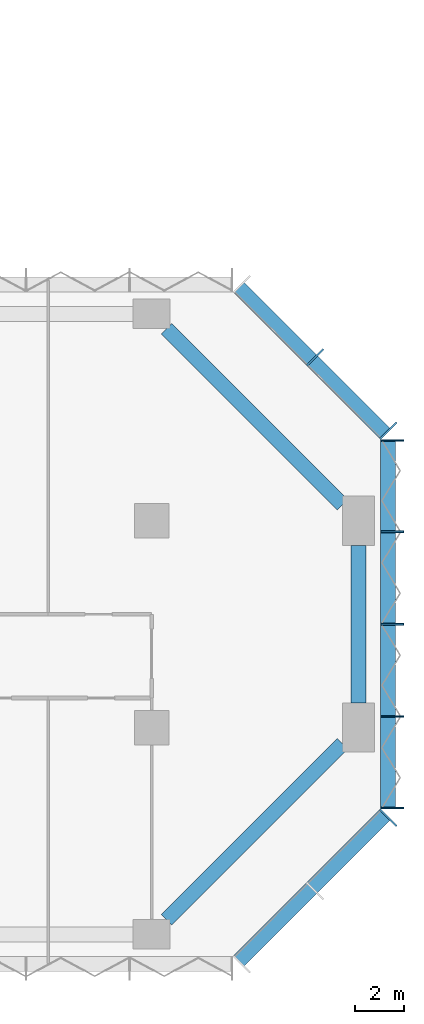
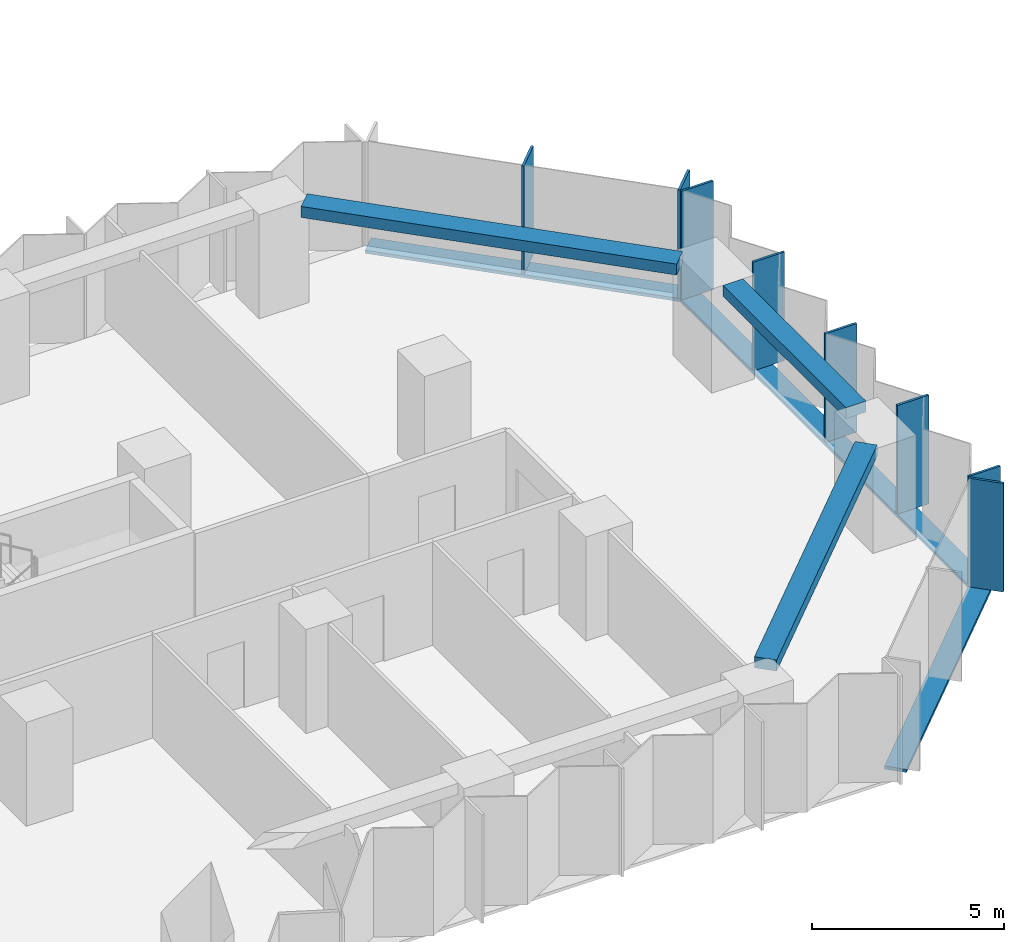
# One storey, part 4 of 15: 11 members, 3 beams, 3 elements without a shape of their own.
"""IFC4 building model written with IfcOpenShell, lengths in metres."""

from ifc_helpers import new_model, si_unit, direction, frame, origin, origin_2d, place, context, subcontext, project, spatial, rectangle, extrude, material, material_profile, profile_set, type_object, element, aggregate, save


model = new_model("IFC4")

# Units and contexts
model_context = context("Model", 3, precision=1e-05, world=origin(), true_north=direction((0.0, 1.0)))
body_context = subcontext(model_context, "Body", "Model", "MODEL_VIEW")
ifc_project = project(units=[si_unit("LENGTHUNIT", "METRE"), si_unit("AREAUNIT", "SQUARE_METRE"), si_unit("VOLUMEUNIT", "CUBIC_METRE"), si_unit("PLANEANGLEUNIT", "RADIAN"), si_unit("MASSUNIT", "GRAM", prefix="KILO")], contexts=[model_context])

# Site, building, storey
site_placement = place(None, origin())
site = spatial("IfcSite", under=ifc_project, at=site_placement, CompositionType="ELEMENT")
building_placement = place(site_placement, origin())
building = spatial("IfcBuilding", under=site, at=building_placement, Name="Brevane Broadcast Tower", CompositionType="ELEMENT")
storey_placement = place(building_placement, frame((0.0, 0.0, 83.300048828125)))
storey = spatial("IfcBuildingStorey", under=building, at=storey_placement, Name="L19", CompositionType="ELEMENT", Elevation=83.300048828125)

# Curtain wall, member
ifc_material_1 = material(Name="Aluminium 6063-T6 bronze anodised", Category="aluminium")
curtain_wall_type = type_object("IfcCurtainWallType", Name="CW-1 curtain wall", PredefinedType="NOTDEFINED", material=ifc_material_1)
curtain_wall_1_placement = place(storey_placement, origin())
curtain_wall_1 = element("IfcCurtainWall", 1, at=curtain_wall_1_placement, inside=storey, type_object=curtain_wall_type, Name="CW-1 typical tilted unit L19 south-east chamfer", PredefinedType="NOTDEFINED")
ifc_material_profile_1 = material_profile(ifc_material_1, rectangle(XDim=0.949951171875, YDim=0.070068359375, at=origin_2d()), Name="RECT 70x950")
ifc_profile_set_1 = profile_set([ifc_material_profile_1], Name="Aluminium 6063-T6 bronze anodised")
member_type_1 = type_object("IfcMemberType", Name="CW-1 mullion 70x950", PredefinedType="MULLION", material=ifc_profile_set_1)
member_1_placement = place(storey_placement, frame((68.4111328125, 4.7392578125, -0.150146484375), z_axis=(0.0, 0.0, 1.0), x_axis=(-0.707106781187, 0.707106781187, 0.0)))
member_1 = element("IfcMember", 2, at=member_1_placement, type_object=member_type_1, Name="CW-1 mullion", PredefinedType="MULLION", context=body_context, shape_type="SweptSolid", body=[
    extrude(rectangle(XDim=0.949951171875, YDim=0.070068359375, at=origin_2d()), origin(), (0.0, 0.0, 1.0), 3.4501953125),
])

# Curtain wall, members
curtain_wall_2_placement = place(storey_placement, origin())
curtain_wall_2 = element("IfcCurtainWall", 3, at=curtain_wall_2_placement, inside=storey, type_object=curtain_wall_type, Name="CW-1 typical tilted unit L19 east end", PredefinedType="NOTDEFINED")
member_2_placement = place(storey_placement, frame((68.574951171875, 5.135009765625, -0.150146484375), z_axis=(0.0, 0.0, 1.0), x_axis=(-1.0, 0.0, 0.0)))
member_2 = element("IfcMember", 4, at=member_2_placement, type_object=member_type_1, Name="CW-1 mullion", PredefinedType="MULLION", context=body_context, shape_type="SweptSolid", body=[
    extrude(rectangle(XDim=0.949951171875, YDim=0.070068359375, at=origin_2d()), origin(), (0.0, 0.0, 1.0), 3.4501953125),
])
member_3_placement = place(storey_placement, frame((68.574951171875, 8.85009765625, -0.150146484375), z_axis=(0.0, 0.0, 1.0), x_axis=(-1.0, 0.0, 0.0)))
member_3 = element("IfcMember", 5, at=member_3_placement, type_object=member_type_1, Name="CW-1 mullion", PredefinedType="MULLION", context=body_context, shape_type="SweptSolid", body=[
    extrude(rectangle(XDim=0.949951171875, YDim=0.070068359375, at=origin_2d()), origin(), (0.0, 0.0, 1.0), 3.4501953125),
])
member_4_placement = place(storey_placement, frame((68.574951171875, 12.60009765625, -0.150146484375), z_axis=(0.0, 0.0, 1.0), x_axis=(-1.0, 0.0, 0.0)))
member_4 = element("IfcMember", 6, at=member_4_placement, type_object=member_type_1, Name="CW-1 mullion", PredefinedType="MULLION", context=body_context, shape_type="SweptSolid", body=[
    extrude(rectangle(XDim=0.949951171875, YDim=0.070068359375, at=origin_2d()), origin(), (0.0, 0.0, 1.0), 3.4501953125),
])
member_5_placement = place(storey_placement, frame((68.574951171875, 16.35009765625, -0.150146484375), z_axis=(0.0, 0.0, 1.0), x_axis=(-1.0, 0.0, 0.0)))
member_5 = element("IfcMember", 7, at=member_5_placement, type_object=member_type_1, Name="CW-1 mullion", PredefinedType="MULLION", context=body_context, shape_type="SweptSolid", body=[
    extrude(rectangle(XDim=0.949951171875, YDim=0.070068359375, at=origin_2d()), origin(), (0.0, 0.0, 1.0), 3.4501953125),
])
member_6_placement = place(storey_placement, frame((68.574951171875, 20.06494140625, -0.150146484375), z_axis=(0.0, 0.0, 1.0), x_axis=(-1.0, 0.0, 0.0)))
member_6 = element("IfcMember", 8, at=member_6_placement, type_object=member_type_1, Name="CW-1 mullion", PredefinedType="MULLION", context=body_context, shape_type="SweptSolid", body=[
    extrude(rectangle(XDim=0.949951171875, YDim=0.070068359375, at=origin_2d()), origin(), (0.0, 0.0, 1.0), 3.4501953125),
])

curtain_wall_3_placement = place(storey_placement, origin())
curtain_wall_3 = element("IfcCurtainWall", 9, at=curtain_wall_3_placement, inside=storey, type_object=curtain_wall_type, Name="CW-1 typical tilted unit L19 north-east chamfer", PredefinedType="NOTDEFINED")
member_7_placement = place(storey_placement, frame((68.4111328125, 20.460693359375, -0.150146484375), z_axis=(0.0, 0.0, 1.0), x_axis=(-0.707106781187, -0.707106781187, 0.0)))
member_7 = element("IfcMember", 10, at=member_7_placement, type_object=member_type_1, Name="CW-1 mullion", PredefinedType="MULLION", context=body_context, shape_type="SweptSolid", body=[
    extrude(rectangle(XDim=0.949951171875, YDim=0.070068359375, at=origin_2d()), origin(), (0.0, 0.0, 1.0), 3.4501953125),
])
member_8_placement = place(storey_placement, frame((65.435791015625, 23.435791015625, -0.150146484375), z_axis=(0.0, 0.0, 1.0), x_axis=(-0.707106781187, -0.707106781187, 0.0)))
member_8 = element("IfcMember", 11, at=member_8_placement, type_object=member_type_1, Name="CW-1 mullion", PredefinedType="MULLION", context=body_context, shape_type="SweptSolid", body=[
    extrude(rectangle(XDim=0.949951171875, YDim=0.070068359375, at=origin_2d()), origin(), (0.0, 0.0, 1.0), 3.4501953125),
])

# Member
ifc_material_profile_2 = material_profile(ifc_material_1, rectangle(XDim=0.60009765625, YDim=0.10009765625, at=origin_2d()), Name="RECT 100x600")
ifc_profile_set_2 = profile_set([ifc_material_profile_2], Name="Aluminium 6063-T6 bronze anodised")
member_type_2 = type_object("IfcMemberType", Name="CW-1 transom 100x600", PredefinedType="USERDEFINED", material=ifc_profile_set_2)
member_9_placement = place(storey_placement, frame((62.31201171875, -1.112060546875, -0.199951171875), z_axis=(0.707106781187, 0.707106781187, 0.0), x_axis=(-0.707106781187, 0.707106781187, 0.0)))
member_9 = element("IfcMember", 12, at=member_9_placement, type_object=member_type_2, Name="CW-1 transom", ObjectType="TRANSOM", PredefinedType="USERDEFINED", context=body_context, shape_type="SweptSolid", body=[
    extrude(rectangle(XDim=0.60009765625, YDim=0.10009765625, at=origin_2d()), origin(), (0.0, 0.0, 1.0), 8.4853515625),
])

aggregate(curtain_wall_1, [member_1, member_9])

member_10_placement = place(storey_placement, frame((68.39990234375, 5.10009765625, -0.199951171875), z_axis=(0.0, 1.0, 0.0), x_axis=(-1.0, 0.0, 0.0)))
member_10 = element("IfcMember", 13, at=member_10_placement, type_object=member_type_2, Name="CW-1 transom", ObjectType="TRANSOM", PredefinedType="USERDEFINED", context=body_context, shape_type="SweptSolid", body=[
    extrude(rectangle(XDim=0.60009765625, YDim=0.10009765625, at=origin_2d()), origin(), (0.0, 0.0, 1.0), 15.0),
])

aggregate(curtain_wall_2, [member_2, member_3, member_4, member_5, member_6, member_10])

member_11_placement = place(storey_placement, frame((68.31201171875, 20.31201171875, -0.199951171875), z_axis=(-0.707106781187, 0.707106781187, 0.0), x_axis=(-0.707106781187, -0.707106781187, 0.0)))
member_11 = element("IfcMember", 14, at=member_11_placement, type_object=member_type_2, Name="CW-1 transom", ObjectType="TRANSOM", PredefinedType="USERDEFINED", context=body_context, shape_type="SweptSolid", body=[
    extrude(rectangle(XDim=0.60009765625, YDim=0.10009765625, at=origin_2d()), origin(), (0.0, 0.0, 1.0), 8.4853515625),
])

aggregate(curtain_wall_3, [member_7, member_8, member_11])

# Beams
ifc_material_2 = material(Name="Concrete C40/50", Category="concrete")
ifc_material_profile_3 = material_profile(ifc_material_2, rectangle(XDim=0.60009765625, YDim=0.35009765625, at=origin_2d()), Name="RC 600x350")
ifc_profile_set_3 = profile_set([ifc_material_profile_3], Name="Concrete C40/50")
beam_type = type_object("IfcBeamType", Name="RC SPANDREL BEAM 600x350 C40/50", PredefinedType="SPANDREL", material=ifc_profile_set_3)
beam_1_placement = place(storey_placement, frame((59.39990234375, 0.60009765625, 3.125), z_axis=(0.707118853314, 0.707094708853, 0.0), x_axis=(-0.707094708853, 0.707118853314, 0.0)))
element("IfcBeam", 15, at=beam_1_placement, inside=storey, type_object=beam_type, Name="EB1 L19-5", PredefinedType="SPANDREL", context=body_context, shape_type="SweptSolid", body=[
    extrude(rectangle(XDim=0.60009765625, YDim=0.35009765625, at=origin_2d()), origin(), (0.0, 0.0, 1.0), 10.111572265625),
])
beam_2_placement = place(storey_placement, frame((67.199951171875, 9.39990234375, 3.125), z_axis=(0.0, 1.0, 0.0), x_axis=(-1.0, 0.0, 0.0)))
element("IfcBeam", 16, at=beam_2_placement, inside=storey, type_object=beam_type, Name="EB1 L19-6", PredefinedType="SPANDREL", context=body_context, shape_type="SweptSolid", body=[
    extrude(rectangle(XDim=0.60009765625, YDim=0.35009765625, at=origin_2d()), origin(), (0.0, 0.0, 1.0), 6.400146484375),
])
beam_3_placement = place(storey_placement, frame((66.550048828125, 17.449951171875, 3.125), z_axis=(-0.707106781187, 0.707106781187, 0.0), x_axis=(-0.707106781187, -0.707106781187, 0.0)))
element("IfcBeam", 17, at=beam_3_placement, inside=storey, type_object=beam_type, Name="EB1 L19-7", PredefinedType="SPANDREL", context=body_context, shape_type="SweptSolid", body=[
    extrude(rectangle(XDim=0.60009765625, YDim=0.35009765625, at=origin_2d()), origin(), (0.0, 0.0, 1.0), 10.11181640625),
])

save(model, "model.ifc")
